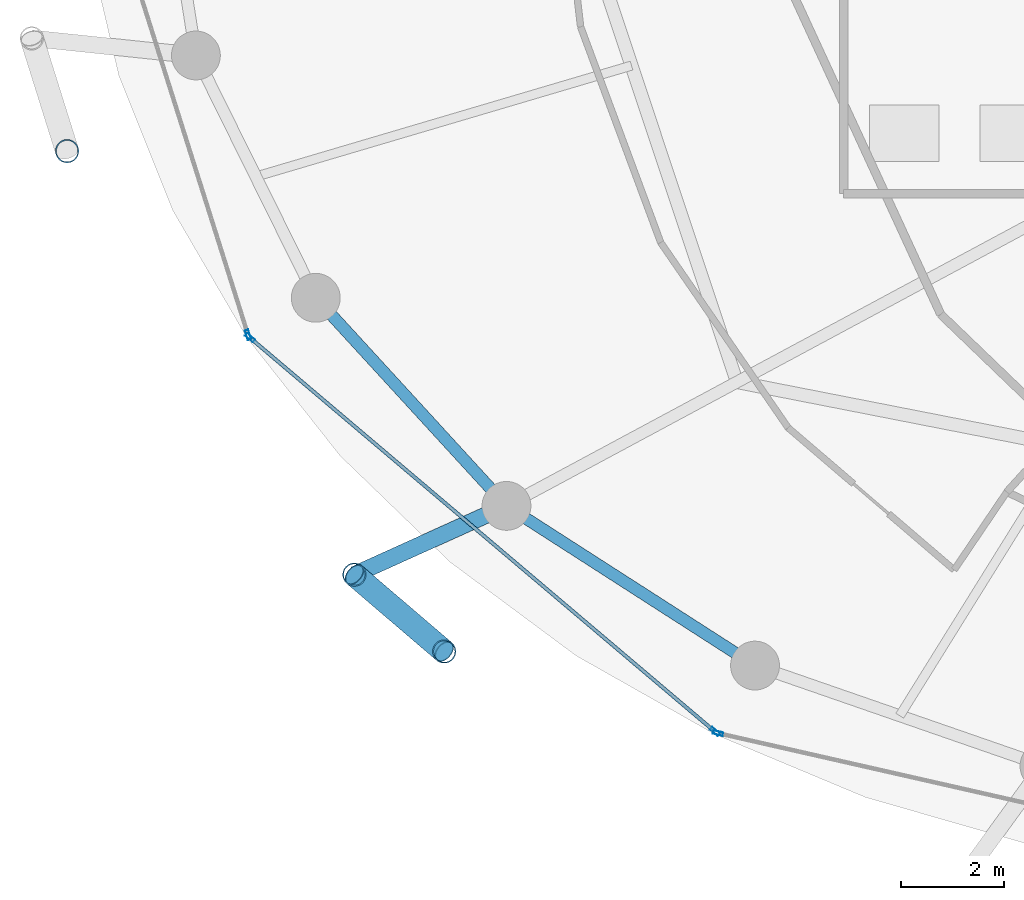
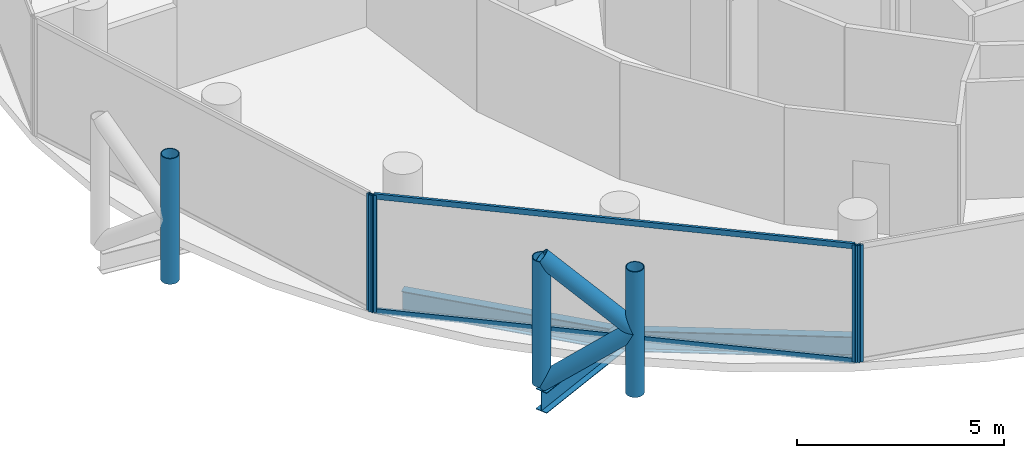
# One storey, part 2 of 26: 11 members, 3 beams, 3 elements without a shape of their own.
"""IFC4 building model written with IfcOpenShell, lengths in metres."""

import ifcopenshell
import ifcopenshell.guid

model = None  # the IFC model being written
_history = None  # IfcOwnerHistory: only IFC2X3 demands one
_inside = {}  # id of a spatial element -> (the spatial element, [elements in it])
_under = {}  # id of a project, library or spatial element -> (it, [spatial elements below it])
_declared = {}  # id of a project -> (the project, [libraries it declares])
_typed = {}  # id of a type object -> (the type object, [elements of that type])
_made_of = {}  # id of a material, layer set ... -> (it, [elements and type objects made of it])


def new_model(schema):
    """Start an empty IFC model of exactly this schema.

    Asked for "IFC4X3", IfcOpenShell would pick the latest addendum, in which some entities
    have other attributes; the version numbers below select the first issue.
    IFC2X3 requires an IfcOwnerHistory on every rooted entity: one is made here for all.
    """
    global model, _history
    if schema == "IFC4X3":
        model = ifcopenshell.file(schema_version=(4, 3, 0, 0))
    else:
        model = ifcopenshell.file(schema=schema)
    _inside.clear()
    _under.clear()
    _declared.clear()
    _typed.clear()
    _made_of.clear()
    _history = None
    if model.schema == "IFC2X3":
        org = make("IfcOrganization", Name="unknown")
        user = make(
            "IfcPersonAndOrganization",
            ThePerson=make("IfcPerson", FamilyName="unknown"),
            TheOrganization=org,
        )
        app = make(
            "IfcApplication",
            ApplicationDeveloper=org,
            Version="unknown",
            ApplicationFullName="unknown",
            ApplicationIdentifier="unknown",
        )
        _history = make(
            "IfcOwnerHistory",
            OwningUser=user,
            OwningApplication=app,
            ChangeAction="ADDED",
            CreationDate=0,
        )
    return model


def make(cls, **values):
    """One entity of the class cls with the attributes given. An attribute that is None is left unset."""
    return model.create_entity(
        cls, **{name: value for name, value in values.items() if value is not None}
    )


def rooted(cls, **values):
    """An entity with a GlobalId (a new one), such as an element, a storey or a relation."""
    return make(cls, GlobalId=ifcopenshell.guid.new(), OwnerHistory=_history, **values)


def si_unit(unit_type, name, prefix=None):
    """IfcSIUnit, for example si_unit("LENGTHUNIT", "METRE", prefix="MILLI")."""
    return make("IfcSIUnit", UnitType=unit_type, Prefix=prefix, Name=name)


def assignment(units):
    """IfcUnitAssignment: the units of a project."""
    return None if units is None else make("IfcUnitAssignment", Units=units)


def point(xyz):
    """IfcCartesianPoint."""
    return None if xyz is None else make("IfcCartesianPoint", Coordinates=xyz)


def direction(xyz):
    """IfcDirection."""
    return None if xyz is None else make("IfcDirection", DirectionRatios=xyz)


def frame(location, z_axis=None, x_axis=None):
    """IfcAxis2Placement3D, a coordinate frame: its origin and axes. An axis left out is left unset."""
    return make(
        "IfcAxis2Placement3D",
        Location=point(location),
        Axis=direction(z_axis),
        RefDirection=direction(x_axis),
    )


def frame_2d(location, x_axis=None):
    """IfcAxis2Placement2D, a coordinate frame in the plane: its origin and x axis."""
    return make(
        "IfcAxis2Placement2D", Location=point(location), RefDirection=direction(x_axis)
    )


def origin():
    """The frame at (0, 0, 0) with its axes left unset."""
    return frame((0.0, 0.0, 0.0))


def origin_2d():
    """The frame at (0, 0) in the plane with its x axis left unset."""
    return frame_2d((0.0, 0.0))


def place(relative_to, where):
    """IfcLocalPlacement: puts the frame where relative to a parent placement (None: the world)."""
    return make(
        "IfcLocalPlacement", PlacementRelTo=relative_to, RelativePlacement=where
    )


def context(
    kind, dimensions, precision=None, world=None, true_north=None, identifier=None
):
    """IfcGeometricRepresentationContext, for example the 3D "Model" context."""
    return make(
        "IfcGeometricRepresentationContext",
        ContextIdentifier=identifier,
        ContextType=kind,
        CoordinateSpaceDimension=dimensions,
        Precision=precision,
        WorldCoordinateSystem=world,
        TrueNorth=true_north,
    )


def subcontext(parent, identifier, kind, view, scale=None):
    """IfcGeometricRepresentationSubContext, for example "Body" below "Model"."""
    return make(
        "IfcGeometricRepresentationSubContext",
        ContextIdentifier=identifier,
        ContextType=kind,
        ParentContext=parent,
        TargetScale=scale,
        TargetView=view,
    )


def project(units=None, contexts=None):
    """IfcProject with its units and contexts."""
    return rooted(
        "IfcProject",
        Name="project",
        RepresentationContexts=contexts,
        UnitsInContext=assignment(units),
    )


def spatial(cls, under=None, at=None, **own):
    """A site, building, storey or space (cls), placed at a placement, below another one or the project."""
    s = rooted(cls, ObjectPlacement=at, **own)
    if under is not None:
        _under.setdefault(under.id(), (under, []))[1].append(s)
    return s


def profile(cls, at=None, kind="AREA", **sizes):
    """A parametric profile (cls). Its sizes go by their IFC names, for example OverallWidth=200.0."""
    return make(cls, ProfileType=kind, Position=at, **sizes)


def hollow_rectangle(**sizes):
    """IfcRectangleHollowProfileDef."""
    return profile("IfcRectangleHollowProfileDef", **sizes)


def hollow_circle(**sizes):
    """IfcCircleHollowProfileDef."""
    return profile("IfcCircleHollowProfileDef", **sizes)


def i_section(**sizes):
    """IfcIShapeProfileDef."""
    return profile("IfcIShapeProfileDef", **sizes)


def extrude(swept, where, along, depth):
    """IfcExtrudedAreaSolid: the profile swept, set in the frame where, extruded along a direction by depth."""
    return make(
        "IfcExtrudedAreaSolid",
        SweptArea=swept,
        Position=where,
        ExtrudedDirection=direction(along),
        Depth=depth,
    )


def shape(context_of_items, identifier, shape_type, items):
    """IfcShapeRepresentation: the items that make up one representation, for example the "Body"."""
    return make(
        "IfcShapeRepresentation",
        ContextOfItems=context_of_items,
        RepresentationIdentifier=identifier,
        RepresentationType=shape_type,
        Items=items,
    )


def material(Name=None, Category=None):
    """IfcMaterial."""
    return make("IfcMaterial", Name=Name, Category=Category)


def layer(
    of_material, thickness, ventilated=None, Name=None, Category=None, Priority=None
):
    """IfcMaterialLayer: one layer of a wall or slab, of a material (None: an air gap)."""
    return make(
        "IfcMaterialLayer",
        Material=of_material,
        LayerThickness=thickness,
        IsVentilated=ventilated,
        Name=Name,
        Category=Category,
        Priority=Priority,
    )


def layer_set(layers, Name=None):
    """IfcMaterialLayerSet."""
    return make("IfcMaterialLayerSet", MaterialLayers=layers, LayerSetName=Name)


def material_profile(
    of_material, cross_section, Name=None, Category=None, Priority=None
):
    """IfcMaterialProfile: a cross section and its material."""
    return make(
        "IfcMaterialProfile",
        Name=Name,
        Material=of_material,
        Profile=cross_section,
        Priority=Priority,
        Category=Category,
    )


def profile_set(profiles, Name=None, composite=None):
    """IfcMaterialProfileSet."""
    return make(
        "IfcMaterialProfileSet",
        Name=Name,
        MaterialProfiles=profiles,
        CompositeProfile=composite,
    )


def made_of(thing, what):
    """Note that an element or type object is made of a material, layer set ...; save() writes the relation."""
    if what is not None:
        _made_of.setdefault(what.id(), (what, []))[1].append(thing)
    return thing


def type_object(cls, material=None, **own):
    """A type object (cls), such as IfcWallType, which elements share."""
    return made_of(rooted(cls, **own), material)


def element(
    cls,
    number,
    at=None,
    inside=None,
    cuts=None,
    type_object=None,
    material=None,
    context=None,
    identifier="Body",
    shape_type=None,
    held_by="IfcProductDefinitionShape",
    body=None,
    shapes=None,
    **own,
):
    """One element of the class cls, such as IfcWall. Its Tag is "e" and its number.

    at: its placement. inside: the storey or other place that contains it. cuts: it is an
    opening in that element (IfcRelVoidsElement). A single representation is given by context,
    identifier, shape_type and body (its items); several are given by shapes. held_by: the class
    of the entity that holds the representations. save() writes the other relations.
    """
    e = rooted(cls, Tag="e%d" % number, ObjectPlacement=at, **own)
    if body is not None:
        shapes = [shape(context, identifier, shape_type, body)]
    if shapes is not None:
        e.Representation = make(held_by, Representations=shapes)
    if inside is not None:
        _inside.setdefault(inside.id(), (inside, []))[1].append(e)
    if cuts is not None:
        rooted(
            "IfcRelVoidsElement", RelatingBuildingElement=cuts, RelatedOpeningElement=e
        )
    if type_object is not None:
        _typed.setdefault(type_object.id(), (type_object, []))[1].append(e)
    return made_of(e, material)


def aggregate(whole, parts):
    """IfcRelAggregates: a whole, such as a stair, and the parts it consists of."""
    return rooted("IfcRelAggregates", RelatingObject=whole, RelatedObjects=parts)


def save(model, path):
    """Write the relations noted so far, then the file.

    IfcRelAggregates (storeys below a building ...), IfcRelContainedInSpatialStructure (elements
    in a storey), IfcRelDefinesByType, IfcRelAssociatesMaterial and IfcRelDeclares: one each for
    every whole, place, type object, material and project.
    """
    for whole, parts in _under.values():
        aggregate(whole, parts)
    for where, things in _inside.values():
        rooted(
            "IfcRelContainedInSpatialStructure",
            RelatedElements=things,
            RelatingStructure=where,
        )
    for kind, things in _typed.values():
        rooted("IfcRelDefinesByType", RelatedObjects=things, RelatingType=kind)
    for what, things in _made_of.values():
        rooted("IfcRelAssociatesMaterial", RelatedObjects=things, RelatingMaterial=what)
    for by, libraries in _declared.values():
        rooted("IfcRelDeclares", RelatingContext=by, RelatedDefinitions=libraries)
    model.write(path)


model = new_model("IFC4")

# Units and contexts
model_context = context("Model", 3, precision=1e-05, world=origin(), true_north=direction((0.0, 1.0)))
body_context = subcontext(model_context, "Body", "Model", "MODEL_VIEW")
ifc_project = project(units=[si_unit("LENGTHUNIT", "METRE"), si_unit("AREAUNIT", "SQUARE_METRE"), si_unit("VOLUMEUNIT", "CUBIC_METRE"), si_unit("PLANEANGLEUNIT", "RADIAN"), si_unit("MASSUNIT", "GRAM", prefix="KILO")], contexts=[model_context])

# Site, building, storey
site_placement = place(None, origin())
site = spatial("IfcSite", under=ifc_project, at=site_placement, CompositionType="ELEMENT")
building_placement = place(site_placement, origin())
building = spatial("IfcBuilding", under=site, at=building_placement, Name="Nuhasar Tower", CompositionType="ELEMENT")
storey_placement = place(building_placement, frame((0.0, 0.0, 118.25)))
storey = spatial("IfcBuildingStorey", under=building, at=storey_placement, Name="L27", CompositionType="ELEMENT", Elevation=118.25)

# Beams
ifc_material_1 = material(Name="Steel S355", Category="steel")
ifc_material_profile_1 = material_profile(ifc_material_1, i_section(OverallWidth=0.22998046875, OverallDepth=0.616943359375, WebThickness=0.01318359375, FlangeThickness=0.022216796875, at=origin_2d()), Name="W24X94")
ifc_profile_set_1 = profile_set([ifc_material_profile_1], Name="Steel S355")
beam_type_1 = type_object("IfcBeamType", Name="BM-RING-W24X94", PredefinedType="SPANDREL", material=ifc_profile_set_1)
beam_1_placement = place(storey_placement, frame((18.778076171875, 17.02490234375, -0.55810546875), z_axis=(0.675676316545, -0.737198423262, 0.0), x_axis=(0.737198423262, 0.675676316545, 0.0)))
element("IfcBeam", 1, at=beam_1_placement, inside=storey, type_object=beam_type_1, Name="L27 Perimeter Ring Spandrel 15", PredefinedType="SPANDREL", context=body_context, shape_type="SweptSolid", body=[
    extrude(i_section(OverallWidth=0.22998046875, OverallDepth=0.616943359375, WebThickness=0.01318359375, FlangeThickness=0.022216796875, at=origin_2d()), origin(), (0.0, 0.0, 1.0), 5.4921875),
])
beam_2_placement = place(storey_placement, frame((22.489013671875, 12.97607421875, -0.55810546875), z_axis=(0.841308170616, -0.540555789955, 0.0), x_axis=(0.540555789955, 0.841308170616, 0.0)))
element("IfcBeam", 2, at=beam_2_placement, inside=storey, type_object=beam_type_1, Name="L27 Perimeter Ring Spandrel 16", PredefinedType="SPANDREL", context=body_context, shape_type="SweptSolid", body=[
    extrude(i_section(OverallWidth=0.22998046875, OverallDepth=0.616943359375, WebThickness=0.01318359375, FlangeThickness=0.022216796875, at=origin_2d()), origin(), (0.0, 0.0, 1.0), 5.748046875),
])
ifc_material_profile_2 = material_profile(ifc_material_1, i_section(OverallWidth=0.323974609375, OverallDepth=0.611083984375, WebThickness=0.0126953125, FlangeThickness=0.01904296875, at=origin_2d()), Name="W24X104")
ifc_profile_set_2 = profile_set([ifc_material_profile_2], Name="Steel S355")
beam_type_2 = type_object("IfcBeamType", Name="BM-TIE-W24X104", PredefinedType="BEAM", material=ifc_profile_set_2)
beam_3_placement = place(storey_placement, frame((22.489013671875, 12.97607421875, -0.554931640625), z_axis=(-0.911211381786, -0.411939094653, 0.0), x_axis=(0.411939094653, -0.911211381786, 0.0)))
element("IfcBeam", 3, at=beam_3_placement, inside=storey, type_object=beam_type_2, Name="L27 Exoskeleton Node Tie Beam 08", PredefinedType="BEAM", context=body_context, shape_type="SweptSolid", body=[
    extrude(i_section(OverallWidth=0.323974609375, OverallDepth=0.611083984375, WebThickness=0.0126953125, FlangeThickness=0.01904296875, at=origin_2d()), origin(), (0.0, 0.0, 1.0), 3.248291015625),
])

# Curtain wall, member
ifc_material_2 = material(Name="Aluminium 6063-T6", Category="aluminium")
ifc_layer = layer(ifc_material_2, 0.199951171875)
ifc_layer_set = layer_set([ifc_layer], Name="Aluminium 6063-T6")
curtain_wall_type = type_object("IfcCurtainWallType", Name="CW-Z2-HTL", PredefinedType="NOTDEFINED", material=ifc_layer_set)
curtain_wall_1_placement = place(storey_placement, origin())
curtain_wall_1 = element("IfcCurtainWall", 4, at=curtain_wall_1_placement, inside=storey, type_object=curtain_wall_type, Name="L27 Unitised Curtain Wall 07", PredefinedType="NOTDEFINED")
ifc_material_profile_3 = material_profile(ifc_material_2, hollow_rectangle(XDim=0.070068359375, YDim=0.199951171875, WallThickness=0.0048828125, at=origin_2d()), Name="CWM-3")
ifc_profile_set_3 = profile_set([ifc_material_profile_3], Name="Aluminium 6063-T6")
member_type_1 = type_object("IfcMemberType", Name="CW-MUL-S3", PredefinedType="MULLION", material=ifc_profile_set_3)
member_1_placement = place(storey_placement, frame((17.46044921875, 16.303466796875, 0.0), z_axis=(0.0, 0.0, 1.0), x_axis=(0.953433389233, 0.301603667577, 0.0)))
member_1 = element("IfcMember", 5, at=member_1_placement, type_object=member_type_1, Name="CW-Z2 mullion 2", PredefinedType="MULLION", context=body_context, shape_type="SweptSolid", body=[
    extrude(hollow_rectangle(XDim=0.070068359375, YDim=0.199951171875, WallThickness=0.0048828125, at=origin_2d()), origin(), (0.0, 0.0, 1.0), 3.449951171875),
])
aggregate(curtain_wall_1, [member_1])

# Curtain wall, members
curtain_wall_2_placement = place(storey_placement, origin())
curtain_wall_2 = element("IfcCurtainWall", 6, at=curtain_wall_2_placement, inside=storey, type_object=curtain_wall_type, Name="L27 Unitised Curtain Wall 08", PredefinedType="NOTDEFINED")
member_2_placement = place(storey_placement, frame((17.497802734375, 16.247314453125, 0.0), z_axis=(0.0, 0.0, 1.0), x_axis=(0.646374438324, 0.763020370292, 0.0)))
member_2 = element("IfcMember", 7, at=member_2_placement, type_object=member_type_1, Name="CW-Z2 mullion 1", PredefinedType="MULLION", context=body_context, shape_type="SweptSolid", body=[
    extrude(hollow_rectangle(XDim=0.070068359375, YDim=0.199951171875, WallThickness=0.0048828125, at=origin_2d()), origin(), (0.0, 0.0, 1.0), 3.449951171875),
])
member_3_placement = place(storey_placement, frame((26.543212890625, 8.584716796875, 0.0), z_axis=(0.0, 0.0, 1.0), x_axis=(0.646374438324, 0.763020370292, 0.0)))
member_3 = element("IfcMember", 8, at=member_3_placement, type_object=member_type_1, Name="CW-Z2 mullion 2", PredefinedType="MULLION", context=body_context, shape_type="SweptSolid", body=[
    extrude(hollow_rectangle(XDim=0.070068359375, YDim=0.199951171875, WallThickness=0.0048828125, at=origin_2d()), origin(), (0.0, 0.0, 1.0), 3.449951171875),
])

# Curtain wall, member
curtain_wall_3_placement = place(storey_placement, origin())
curtain_wall_3 = element("IfcCurtainWall", 9, at=curtain_wall_3_placement, inside=storey, type_object=curtain_wall_type, Name="L27 Unitised Curtain Wall 09", PredefinedType="NOTDEFINED")
member_4_placement = place(storey_placement, frame((26.604248046875, 8.55419921875, 0.0), z_axis=(0.0, 0.0, 1.0), x_axis=(0.22139729566, 0.975183694221, 0.0)))
member_4 = element("IfcMember", 10, at=member_4_placement, type_object=member_type_1, Name="CW-Z2 mullion 1", PredefinedType="MULLION", context=body_context, shape_type="SweptSolid", body=[
    extrude(hollow_rectangle(XDim=0.070068359375, YDim=0.199951171875, WallThickness=0.0048828125, at=origin_2d()), origin(), (0.0, 0.0, 1.0), 3.449951171875),
])
aggregate(curtain_wall_3, [member_4])

# Member
ifc_material_profile_4 = material_profile(ifc_material_2, hollow_rectangle(XDim=0.070068359375, YDim=0.159912109375, WallThickness=0.00439453125, at=origin_2d()), Name="CWT-3")
ifc_profile_set_4 = profile_set([ifc_material_profile_4], Name="Aluminium 6063-T6")
member_type_2 = type_object("IfcMemberType", Name="CW-TRN-S3", PredefinedType="USERDEFINED", material=ifc_profile_set_4)
member_5_placement = place(storey_placement, frame((17.5244140625, 16.224853515625, 0.034912109375), z_axis=(0.763013698099, -0.646382314511, 0.0), x_axis=(0.646382314511, 0.763013698099, 0.0)))
member_5 = element("IfcMember", 11, at=member_5_placement, type_object=member_type_2, Name="CW-Z2 transom 1.1", ObjectType="TRANSOM", PredefinedType="USERDEFINED", context=body_context, shape_type="SweptSolid", body=[
    extrude(hollow_rectangle(XDim=0.070068359375, YDim=0.159912109375, WallThickness=0.00439453125, at=origin_2d()), origin(), (0.0, 0.0, 1.0), 11.78515625),
])

member_6_placement = place(storey_placement, frame((17.5244140625, 16.224853515625, 3.4150390625), z_axis=(0.763013698099, -0.646382314511, 0.0), x_axis=(0.646382314511, 0.763013698099, 0.0)))
member_6 = element("IfcMember", 12, at=member_6_placement, type_object=member_type_2, Name="CW-Z2 transom 1.2", ObjectType="TRANSOM", PredefinedType="USERDEFINED", context=body_context, shape_type="SweptSolid", body=[
    extrude(hollow_rectangle(XDim=0.070068359375, YDim=0.159912109375, WallThickness=0.00439453125, at=origin_2d()), origin(), (0.0, 0.0, 1.0), 11.78515625),
])

aggregate(curtain_wall_2, [member_2, member_3, member_5, member_6])

# Members
ifc_material_3 = material(Name="Steel S460", Category="steel")
ifc_material_profile_5 = material_profile(ifc_material_3, hollow_circle(Radius=0.228515625, WallThickness=0.022216796875, at=origin_2d()), Name="HSS457X22.2")
ifc_profile_set_5 = profile_set([ifc_material_profile_5], Name="Steel S460")
member_type_3 = type_object("IfcMemberType", Name="EXO-BRONZE-457", PredefinedType="BRACE", material=ifc_profile_set_5)
for number, where, z_axis, x_axis, name in (
    (13, (13.93994140625, 19.87890625, 0.0), (0.0, 0.0, 1.0), (1.0, 0.0, 0.0), "L27 Exoskeleton Chord Column EC-07B"),
    (14, (19.529052734375, 11.637939453125, 0.0), (0.0, 0.0, 1.0), (1.0, 0.0, 0.0), "L27 Exoskeleton Chord Column EC-08A"),
    (15, (21.277099609375, 10.14306640625, 0.0), (0.0, 0.0, 1.0), (1.0, 0.0, 0.0), "L27 Exoskeleton Chord Column EC-08B"),
):
    element("IfcMember", number, at=place(storey_placement, frame(where, z_axis=z_axis, x_axis=x_axis)), inside=storey, type_object=member_type_3, Name=name, PredefinedType="BRACE", context=body_context, shape_type="SweptSolid", body=[
        extrude(hollow_circle(Radius=0.228515625, WallThickness=0.022216796875, at=origin_2d()), origin(), (0.0, 0.0, 1.0), 3.699951171875),
    ])
member_7_placement = place(storey_placement, frame((19.529052734375, 11.637939453125, 0.0), z_axis=(0.592195175458, -0.506426125604, 0.626767463634), x_axis=(0.649925557156, 0.7599978751, 0.0)))
element("IfcMember", 16, at=member_7_placement, inside=storey, type_object=member_type_3, Name="L27 Bronze Diagrid Brace W1-08", PredefinedType="BRACE", context=body_context, shape_type="SweptSolid", body=[
    extrude(hollow_circle(Radius=0.228515625, WallThickness=0.022216796875, at=origin_2d()), origin(), (0.0, 0.0, 1.0), 2.951904296875),
])
member_8_placement = place(storey_placement, frame((21.277099609375, 10.14306640625, 1.85009765625), z_axis=(-0.592225874743, 0.506452378638, 0.626717242029), x_axis=(-0.649925557156, -0.7599978751, 0.0)))
element("IfcMember", 17, at=member_8_placement, inside=storey, type_object=member_type_3, Name="L27 Bronze Diagrid Brace W2-08", PredefinedType="BRACE", context=body_context, shape_type="SweptSolid", body=[
    extrude(hollow_circle(Radius=0.228515625, WallThickness=0.022216796875, at=origin_2d()), origin(), (0.0, 0.0, 1.0), 2.95166015625),
])

save(model, "model.ifc")
